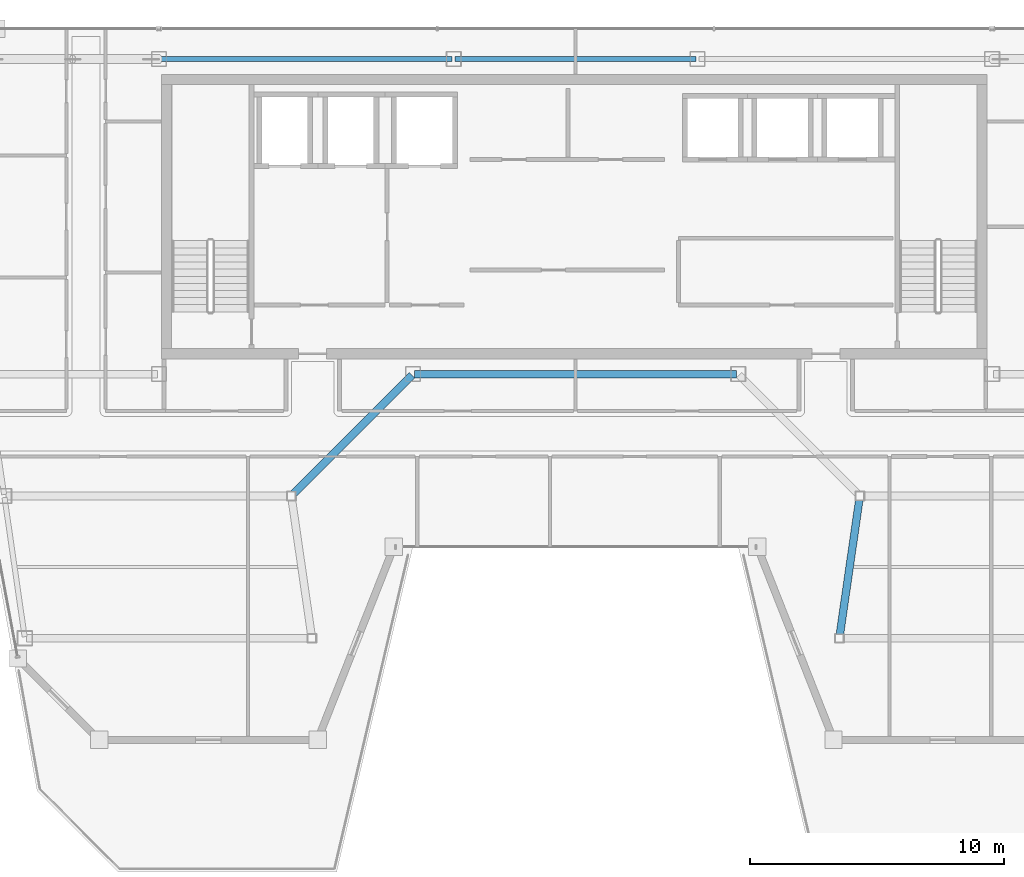
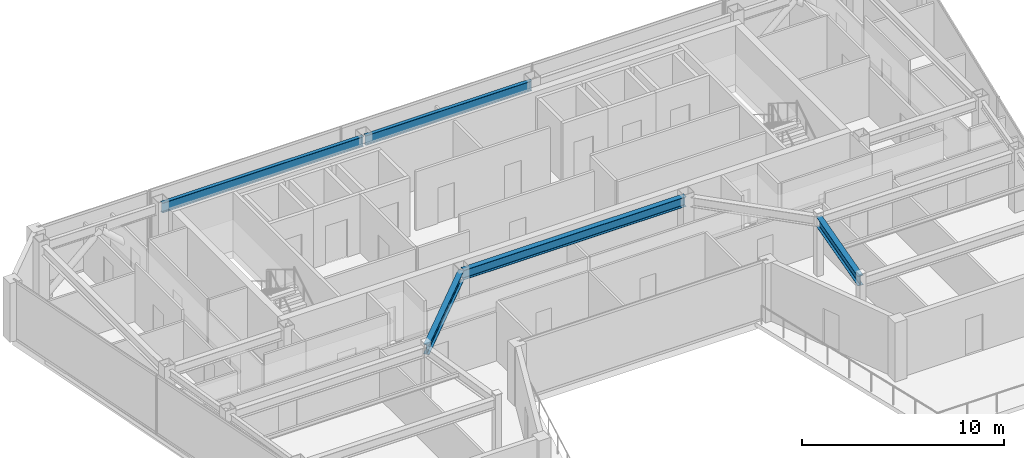
# One storey, part 8 of 25: 5 beams.
"""IFC4 building model written with IfcOpenShell, lengths in metres."""

from ifc_helpers import new_model, si_unit, direction, frame, origin, origin_2d, place, context, subcontext, project, spatial, i_section, extrude, material, material_profile, profile_set, type_object, element, save


model = new_model("IFC4")

# Units and contexts
model_context = context("Model", 3, precision=1e-05, world=origin(), true_north=direction((0.0, 1.0)))
body_context = subcontext(model_context, "Body", "Model", "MODEL_VIEW")
ifc_project = project(units=[si_unit("LENGTHUNIT", "METRE"), si_unit("AREAUNIT", "SQUARE_METRE"), si_unit("VOLUMEUNIT", "CUBIC_METRE"), si_unit("PLANEANGLEUNIT", "RADIAN"), si_unit("MASSUNIT", "GRAM", prefix="KILO")], contexts=[model_context])

# Site, building, storey
site_placement = place(None, origin())
site = spatial("IfcSite", under=ifc_project, at=site_placement, CompositionType="ELEMENT")
building_placement = place(site_placement, origin())
building = spatial("IfcBuilding", under=site, at=building_placement, Name="Saevonmaru Cultural Tower", CompositionType="ELEMENT")
storey_placement = place(building_placement, frame((0.0, 0.0, 276.199951171875)))
storey = spatial("IfcBuildingStorey", under=building, at=storey_placement, Name="L65", CompositionType="ELEMENT", Elevation=276.199951171875)

# Beams
ifc_material = material(Name="Steel SM355", Category="steel")
ifc_material_profile_1 = material_profile(ifc_material, i_section(OverallWidth=0.300048828125, OverallDepth=0.587890625, WebThickness=0.011962890625, FlangeThickness=0.02001953125, FilletRadius=0.02392578125, at=origin_2d()), Name="H-588x300x12x20")
ifc_profile_set_1 = profile_set([ifc_material_profile_1], Name="Steel SM355")
beam_type_1 = type_object("IfcBeamType", Name="BM-G-H588", PredefinedType="BEAM", material=ifc_profile_set_1)
beam_1_placement = place(storey_placement, frame((23.659912109375, 42.39990234375, 3.256103515625), z_axis=(1.0, 0.0, 0.0), x_axis=(0.0, 1.0, 0.0)))
element("IfcBeam", 1, at=beam_1_placement, inside=storey, type_object=beam_type_1, Name="L65 Core South Girder 3", PredefinedType="BEAM", context=body_context, shape_type="SweptSolid", body=[
    extrude(i_section(OverallWidth=0.300048828125, OverallDepth=0.587890625, WebThickness=0.011962890625, FlangeThickness=0.02001953125, FilletRadius=0.02392578125, at=origin_2d()), origin(), (0.0, 0.0, 1.0), 12.68017578125),
])
beam_2_placement = place(storey_placement, frame((18.850341796875, 37.642578125, 3.256103515625), z_axis=(0.706538566564, 0.707674539572, 0.0), x_axis=(-0.707674539572, 0.706538566564, 0.0)))
element("IfcBeam", 2, at=beam_2_placement, inside=storey, type_object=beam_type_1, Name="L65 West Atrium Girder 2", PredefinedType="BEAM", context=body_context, shape_type="SweptSolid", body=[
    extrude(i_section(OverallWidth=0.300048828125, OverallDepth=0.587890625, WebThickness=0.011962890625, FlangeThickness=0.02001953125, FilletRadius=0.02392578125, at=origin_2d()), origin(), (0.0, 0.0, 1.0), 6.662353515625),
])
beam_3_placement = place(storey_placement, frame((40.3916015625, 32.059326171875, 3.256103515625), z_axis=(0.142964121327, 0.989727871697, 0.0), x_axis=(-0.989727871697, 0.142964121327, 0.0)))
element("IfcBeam", 3, at=beam_3_placement, inside=storey, type_object=beam_type_1, Name="L65 East Atrium Girder 1", PredefinedType="BEAM", context=body_context, shape_type="SweptSolid", body=[
    extrude(i_section(OverallWidth=0.300048828125, OverallDepth=0.587890625, WebThickness=0.011962890625, FlangeThickness=0.02001953125, FilletRadius=0.02392578125, at=origin_2d()), origin(), (0.0, 0.0, 1.0), 5.5380859375),
])
ifc_material_profile_2 = material_profile(ifc_material, i_section(OverallWidth=0.199951171875, OverallDepth=0.60009765625, WebThickness=0.010986328125, FlangeThickness=0.01708984375, FilletRadius=0.02197265625, at=origin_2d()), Name="H-600x200x11x17")
ifc_profile_set_2 = profile_set([ifc_material_profile_2], Name="Steel SM355")
beam_type_2 = type_object("IfcBeamType", Name="BM-SP-H600", PredefinedType="SPANDREL", material=ifc_profile_set_2)
beam_4_placement = place(storey_placement, frame((13.659912109375, 54.800048828125, 3.25), z_axis=(1.0, 0.0, 0.0), x_axis=(0.0, 1.0, 0.0)))
element("IfcBeam", 4, at=beam_4_placement, inside=storey, type_object=beam_type_2, Name="L65 North Spine Girder 2", PredefinedType="SPANDREL", context=body_context, shape_type="SweptSolid", body=[
    extrude(i_section(OverallWidth=0.199951171875, OverallDepth=0.60009765625, WebThickness=0.010986328125, FlangeThickness=0.01708984375, FilletRadius=0.02197265625, at=origin_2d()), origin(), (0.0, 0.0, 1.0), 11.47998046875),
])
beam_5_placement = place(storey_placement, frame((25.260009765625, 54.800048828125, 3.25), z_axis=(1.0, 0.0, 0.0), x_axis=(0.0, 1.0, 0.0)))
element("IfcBeam", 5, at=beam_5_placement, inside=storey, type_object=beam_type_2, Name="L65 North Spine Girder 3", PredefinedType="SPANDREL", context=body_context, shape_type="SweptSolid", body=[
    extrude(i_section(OverallWidth=0.199951171875, OverallDepth=0.60009765625, WebThickness=0.010986328125, FlangeThickness=0.01708984375, FilletRadius=0.02197265625, at=origin_2d()), origin(), (0.0, 0.0, 1.0), 9.47998046875),
])

save(model, "model.ifc")
